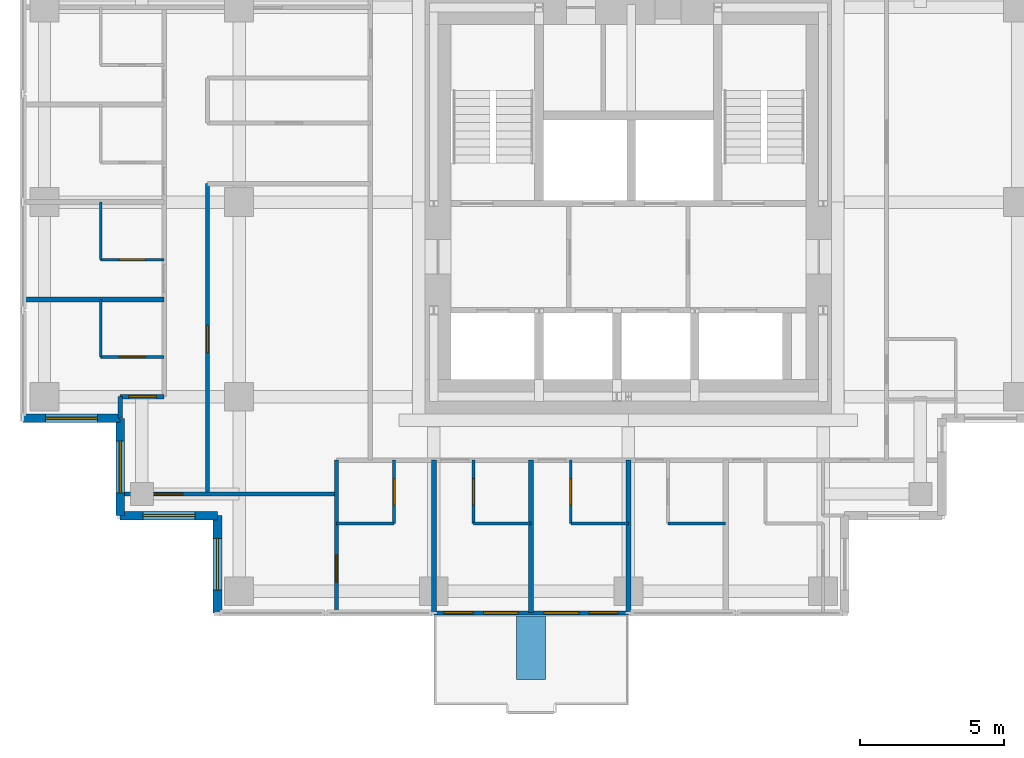
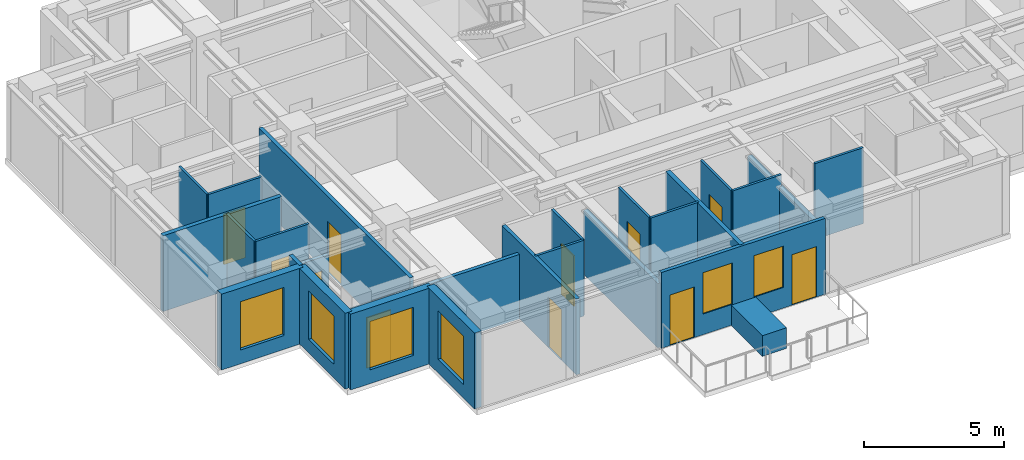
# One storey, part 3 of 8: 26 walls, 11 doors, 6 windows, 17 openings.
"""IFC4 building model written with IfcOpenShell, lengths in metres."""

from ifc_helpers import new_model, si_unit, direction, frame, frame_2d, origin, place, context, subcontext, project, spatial, rectangle, extrude, material, layer, layer_set, type_object, element, fill, save


model = new_model("IFC4")

# Units and contexts
model_context = context("Model", 3, precision=1e-05, world=origin(), true_north=direction((0.0, 1.0)))
body_context = subcontext(model_context, "Body", "Model", "MODEL_VIEW")
ifc_project = project(units=[si_unit("LENGTHUNIT", "METRE"), si_unit("AREAUNIT", "SQUARE_METRE"), si_unit("VOLUMEUNIT", "CUBIC_METRE"), si_unit("PLANEANGLEUNIT", "RADIAN"), si_unit("MASSUNIT", "GRAM", prefix="KILO")], contexts=[model_context])

# Site, building, storey
site_placement = place(None, origin())
site = spatial("IfcSite", under=ifc_project, at=site_placement, CompositionType="ELEMENT")
building_placement = place(site_placement, origin())
building = spatial("IfcBuilding", under=site, at=building_placement, Name="Nyansa Garden Tower", CompositionType="ELEMENT")
storey_placement = place(building_placement, frame((0.0, 0.0, 251.10009765625)))
storey = spatial("IfcBuildingStorey", under=building, at=storey_placement, Name="L68", CompositionType="ELEMENT", Elevation=251.10009765625)

# Walls
ifc_material_1 = material(Name="Dense blockwork, plastered both sides, 55 dB", Category="masonry")
ifc_layer_1 = layer(ifc_material_1, 0.175048828125)
ifc_layer_set_1 = layer_set([ifc_layer_1], Name="Acoustic party wall PW175")
wall_type_1 = type_object("IfcWallType", Name="Acoustic party wall PW175", PredefinedType="PARTITIONING", material=ifc_layer_set_1)
wall_1_placement = place(storey_placement, frame((-0.73388671875, 16.875, 0.0), z_axis=(0.0, 0.0, 1.0), x_axis=(1.0, 0.0, 0.0)))
element("IfcWall", 1, at=wall_1_placement, inside=storey, type_object=wall_type_1, Name="Party wall", PredefinedType="PARTITIONING", context=body_context, shape_type="SweptSolid", body=[
    extrude(rectangle(XDim=4.8837890625, YDim=0.175048828125, at=frame_2d((2.44189453125, 0.0))), origin(), (0.0, 0.0, 1.0), 3.2998046875),
])
wall_2_placement = place(storey_placement, frame((13.5, 6.01611328125, 0.0), z_axis=(0.0, 0.0, 1.0), x_axis=(0.0, 1.0, 0.0)))
element("IfcWall", 2, at=wall_2_placement, inside=storey, type_object=wall_type_1, Name="Party wall", PredefinedType="PARTITIONING", context=body_context, shape_type="SweptSolid", body=[
    extrude(rectangle(XDim=5.283935546875, YDim=0.175048828125, at=frame_2d((2.64208984375, 0.0))), origin(), (0.0, 0.0, 1.0), 2.802001953125),
])
wall_3_placement = place(storey_placement, frame((16.875, 6.01611328125, 0.0), z_axis=(0.0, 0.0, 1.0), x_axis=(0.0, 1.0, 0.0)))
element("IfcWall", 3, at=wall_3_placement, inside=storey, type_object=wall_type_1, Name="Party wall", PredefinedType="PARTITIONING", context=body_context, shape_type="SweptSolid", body=[
    extrude(rectangle(XDim=5.283935546875, YDim=0.175048828125, at=frame_2d((2.64208984375, 0.0))), origin(), (0.0, 0.0, 1.0), 3.2998046875),
])
wall_4_placement = place(storey_placement, frame((20.25, 6.01611328125, 0.0), z_axis=(0.0, 0.0, 1.0), x_axis=(0.0, 1.0, 0.0)))
element("IfcWall", 4, at=wall_4_placement, inside=storey, type_object=wall_type_1, Name="Party wall", PredefinedType="PARTITIONING", context=body_context, shape_type="SweptSolid", body=[
    extrude(rectangle(XDim=5.283935546875, YDim=0.175048828125, at=frame_2d((2.64208984375, 0.0))), origin(), (0.0, 0.0, 1.0), 2.802001953125),
])

# Wall, openings, doors, windows
ifc_material_2 = material(Name="Black aluminium framed glazed screen", Category="aluminium")
ifc_layer_2 = layer(ifc_material_2, 0.14990234375)
ifc_layer_set_2 = layer_set([ifc_layer_2], Name="Balcony screen wall BW150")
wall_type_2 = type_object("IfcWallType", Name="Balcony screen wall BW150", PredefinedType="SOLIDWALL", material=ifc_layer_set_2)
wall_5_placement = place(storey_placement, frame((20.25, 6.0, 0.0), z_axis=(0.0, 0.0, 1.0), x_axis=(-1.0, 0.0, 0.0)))
wall_5 = element("IfcWall", 5, at=wall_5_placement, inside=storey, type_object=wall_type_2, Name="Glazed screen wall L68 S", PredefinedType="SOLIDWALL", context=body_context, shape_type="SweptSolid", body=[
    extrude(rectangle(XDim=6.75, YDim=0.14990234375, at=frame_2d((3.375, 0.0))), origin(), (0.0, 0.0, 1.0), 3.2998046875),
])
opening_1_placement = place(wall_5_placement, frame((0.362548828125, 0.0, 0.0)))
opening_1 = element("IfcOpeningElement", 6, at=opening_1_placement, cuts=wall_5, Name="Opening D20", PredefinedType="OPENING", context=body_context, shape_type="SweptSolid", body=[
    extrude(rectangle(XDim=1.0, YDim=2.199951171875, at=frame_2d((0.5, 1.10009765625))), frame((0.0, 0.0849609375, 0.0), z_axis=(0.0, -1.0, 0.0), x_axis=(1.0, 0.0, 0.0)), (0.0, 0.0, 1.0), 0.169921875),
])
opening_2_placement = place(wall_5_placement, frame((1.72509765625, 0.0, 0.89990234375)))
opening_2 = element("IfcOpeningElement", 7, at=opening_2_placement, cuts=wall_5, Name="Opening W6", PredefinedType="OPENING", context=body_context, shape_type="SweptSolid", body=[
    extrude(rectangle(XDim=1.199951171875, YDim=1.800048828125, at=frame_2d((0.60009765625, 0.89990234375))), frame((0.0, 0.0849609375, 0.0), z_axis=(0.0, -1.0, 0.0), x_axis=(1.0, 0.0, 0.0)), (0.0, 0.0, 1.0), 0.169921875),
])
opening_3_placement = place(wall_5_placement, frame((5.387451171875, 0.0, 0.0)))
opening_3 = element("IfcOpeningElement", 8, at=opening_3_placement, cuts=wall_5, Name="Opening D20", PredefinedType="OPENING", context=body_context, shape_type="SweptSolid", body=[
    extrude(rectangle(XDim=1.0, YDim=2.199951171875, at=frame_2d((0.5, 1.10009765625))), frame((0.0, 0.0849609375, 0.0), z_axis=(0.0, -1.0, 0.0), x_axis=(1.0, 0.0, 0.0)), (0.0, 0.0, 1.0), 0.169921875),
])
opening_4_placement = place(wall_5_placement, frame((3.824951171875, 0.0, 0.89990234375)))
opening_4 = element("IfcOpeningElement", 9, at=opening_4_placement, cuts=wall_5, Name="Opening W6", PredefinedType="OPENING", context=body_context, shape_type="SweptSolid", body=[
    extrude(rectangle(XDim=1.199951171875, YDim=1.800048828125, at=frame_2d((0.60009765625, 0.89990234375))), frame((0.0, 0.0849609375, 0.0), z_axis=(0.0, -1.0, 0.0), x_axis=(1.0, 0.0, 0.0)), (0.0, 0.0, 1.0), 0.169921875),
])
ifc_material_3 = material(Name="Black aluminium framed glazed door", Category="aluminium")
door_type_1 = type_object("IfcDoorType", Name="Balcony door D20 1000x2200", OperationType="NOTDEFINED", PredefinedType="DOOR", material=ifc_material_3)
door_1_placement = place(opening_1_placement, origin())
door_1 = element("IfcDoor", 10, at=door_1_placement, inside=storey, type_object=door_type_1, Name="Balcony door L68", OperationType="SINGLE_SWING_LEFT", OverallHeight=2.199951171875, OverallWidth=1.0, PredefinedType="DOOR", context=body_context, shape_type="SweptSolid", body=[
    extrude(rectangle(XDim=1.0, YDim=2.199951171875, at=frame_2d((0.5, 1.10009765625))), frame((0.0, 0.02490234375, 0.0), z_axis=(0.0, -1.0, 0.0), x_axis=(1.0, 0.0, 0.0)), (0.0, 0.0, 1.0), 0.050048828125),
])
fill(opening_1, door_1)
door_2_placement = place(opening_3_placement, origin())
door_2 = element("IfcDoor", 11, at=door_2_placement, inside=storey, type_object=door_type_1, Name="Balcony door L68", OperationType="SINGLE_SWING_RIGHT", OverallHeight=2.199951171875, OverallWidth=1.0, PredefinedType="DOOR", context=body_context, shape_type="SweptSolid", body=[
    extrude(rectangle(XDim=1.0, YDim=2.199951171875, at=frame_2d((0.5, 1.10009765625))), frame((0.0, 0.02490234375, 0.0), z_axis=(0.0, -1.0, 0.0), x_axis=(1.0, 0.0, 0.0)), (0.0, 0.0, 1.0), 0.050048828125),
])
fill(opening_3, door_2)
ifc_material_4 = material(Name="Black aluminium frame, dark tinted double glazing", Category="aluminium")
window_type_1 = type_object("IfcWindowType", Name="Balcony window W6 1200x1800", PartitioningType="SINGLE_PANEL", PredefinedType="WINDOW", material=ifc_material_4)
window_1_placement = place(opening_2_placement, origin())
window_1 = element("IfcWindow", 12, at=window_1_placement, inside=storey, type_object=window_type_1, Name="Window L68", OverallHeight=1.800048828125, OverallWidth=1.199951171875, PartitioningType="SINGLE_PANEL", PredefinedType="WINDOW", context=body_context, shape_type="SweptSolid", body=[
    extrude(rectangle(XDim=1.199951171875, YDim=1.800048828125, at=frame_2d((0.60009765625, 0.89990234375))), frame((0.0, 0.030029296875, 0.0), z_axis=(0.0, -1.0, 0.0), x_axis=(1.0, 0.0, 0.0)), (0.0, 0.0, 1.0), 0.06005859375),
])
fill(opening_2, window_1)
window_2_placement = place(opening_4_placement, origin())
window_2 = element("IfcWindow", 13, at=window_2_placement, inside=storey, type_object=window_type_1, Name="Window L68", OverallHeight=1.800048828125, OverallWidth=1.199951171875, PartitioningType="SINGLE_PANEL", PredefinedType="WINDOW", context=body_context, shape_type="SweptSolid", body=[
    extrude(rectangle(XDim=1.199951171875, YDim=1.800048828125, at=frame_2d((0.60009765625, 0.89990234375))), frame((0.0, 0.030029296875, 0.0), z_axis=(0.0, -1.0, 0.0), x_axis=(1.0, 0.0, 0.0)), (0.0, 0.0, 1.0), 0.06005859375),
])
fill(opening_4, window_2)

# Wall
ifc_material_5 = material(Name="Blockwork, plastered both sides", Category="masonry")
ifc_layer_3 = layer(ifc_material_5, 0.14990234375)
ifc_layer_set_3 = layer_set([ifc_layer_3], Name="Partition PW150")
wall_type_3 = type_object("IfcWallType", Name="Partition PW150", PredefinedType="PARTITIONING", material=ifc_layer_set_3)
wall_6_placement = place(storey_placement, frame((2.625, 12.76611328125, 0.0), z_axis=(0.0, 0.0, 1.0), x_axis=(0.0, 1.0, 0.0)))
element("IfcWall", 14, at=wall_6_placement, inside=storey, type_object=wall_type_3, Name="Partition", PredefinedType="PARTITIONING", context=body_context, shape_type="SweptSolid", body=[
    extrude(rectangle(XDim=0.73388671875, YDim=0.14990234375, at=frame_2d((0.366943359375, 0.0))), origin(), (0.0, 0.0, 1.0), 3.2998046875),
])

# Wall, opening, door
wall_7_placement = place(storey_placement, frame((2.625, 13.5, 0.0), z_axis=(0.0, 0.0, 1.0), x_axis=(1.0, 0.0, 0.0)))
wall_7 = element("IfcWall", 15, at=wall_7_placement, inside=storey, type_object=wall_type_3, Name="Partition", PredefinedType="PARTITIONING", context=body_context, shape_type="SweptSolid", body=[
    extrude(rectangle(XDim=1.52490234375, YDim=0.14990234375, at=frame_2d((0.762451171875, 0.0))), origin(), (0.0, 0.0, 1.0), 2.802001953125),
])
opening_5_placement = place(wall_7_placement, frame((0.300048828125, 0.0, 0.0)))
opening_5 = element("IfcOpeningElement", 16, at=opening_5_placement, cuts=wall_7, Name="Opening D01", PredefinedType="OPENING", context=body_context, shape_type="SweptSolid", body=[
    extrude(rectangle(XDim=0.949951171875, YDim=2.199951171875, at=frame_2d((0.47509765625, 1.10009765625))), frame((0.0, 0.0849609375, 0.0), z_axis=(0.0, -1.0, 0.0), x_axis=(1.0, 0.0, 0.0)), (0.0, 0.0, 1.0), 0.169921875),
])
ifc_material_6 = material(Name="Timber flush door, 30 minute fire resisting", Category="wood")
door_type_2 = type_object("IfcDoorType", Name="Bedroom door D01 950x2200", OperationType="SINGLE_SWING_LEFT", PredefinedType="DOOR", material=ifc_material_6)
door_3_placement = place(opening_5_placement, origin())
door_3 = element("IfcDoor", 17, at=door_3_placement, inside=storey, type_object=door_type_2, Name="Door L68-036", OperationType="SINGLE_SWING_LEFT", OverallHeight=2.199951171875, OverallWidth=0.949951171875, PredefinedType="DOOR", context=body_context, shape_type="SweptSolid", body=[
    extrude(rectangle(XDim=0.949951171875, YDim=2.199951171875, at=frame_2d((0.47509765625, 1.10009765625))), frame((0.0, 0.02490234375, 0.0), z_axis=(0.0, -1.0, 0.0), x_axis=(1.0, 0.0, 0.0)), (0.0, 0.0, 1.0), 0.050048828125),
])
fill(opening_5, door_3)

wall_8_placement = place(storey_placement, frame((2.77490234375, 10.125, 0.0), z_axis=(0.0, 0.0, 1.0), x_axis=(1.0, 0.0, 0.0)))
wall_8 = element("IfcWall", 18, at=wall_8_placement, inside=storey, type_object=wall_type_3, Name="Partition", PredefinedType="PARTITIONING", context=body_context, shape_type="SweptSolid", body=[
    extrude(rectangle(XDim=7.35009765625, YDim=0.14990234375, at=frame_2d((3.675048828125, 0.0))), origin(), (0.0, 0.0, 1.0), 2.802001953125),
])
opening_6_placement = place(wall_8_placement, frame((1.01611328125, 0.0, 0.0)))
opening_6 = element("IfcOpeningElement", 19, at=opening_6_placement, cuts=wall_8, Name="Opening D03", PredefinedType="OPENING", context=body_context, shape_type="SweptSolid", body=[
    extrude(rectangle(XDim=1.0, YDim=2.199951171875, at=frame_2d((0.5, 1.10009765625))), frame((0.0, 0.0849609375, 0.0), z_axis=(0.0, -1.0, 0.0), x_axis=(1.0, 0.0, 0.0)), (0.0, 0.0, 1.0), 0.169921875),
])
ifc_material_7 = material(Name="Timber flush door, 60 minute fire resisting", Category="wood")
door_type_3 = type_object("IfcDoorType", Name="Cluster entrance door D03 1000x2200", OperationType="SINGLE_SWING_LEFT", PredefinedType="DOOR", material=ifc_material_7)
door_4_placement = place(opening_6_placement, origin())
door_4 = element("IfcDoor", 20, at=door_4_placement, inside=storey, type_object=door_type_3, Name="Door L68-027", OperationType="SINGLE_SWING_LEFT", OverallHeight=2.199951171875, OverallWidth=1.0, PredefinedType="DOOR", context=body_context, shape_type="SweptSolid", body=[
    extrude(rectangle(XDim=1.0, YDim=2.199951171875, at=frame_2d((0.5, 1.10009765625))), frame((0.0, 0.02490234375, 0.0), z_axis=(0.0, -1.0, 0.0), x_axis=(1.0, 0.0, 0.0)), (0.0, 0.0, 1.0), 0.050048828125),
])
fill(opening_6, door_4)

wall_9_placement = place(storey_placement, frame((5.64990234375, 10.125, 0.0), z_axis=(0.0, 0.0, 1.0), x_axis=(0.0, 1.0, 0.0)))
wall_9 = element("IfcWall", 21, at=wall_9_placement, inside=storey, type_object=wall_type_3, Name="Partition", PredefinedType="PARTITIONING", context=body_context, shape_type="SweptSolid", body=[
    extrude(rectangle(XDim=10.762451171875, YDim=0.14990234375, at=frame_2d((5.38134765625, 0.0))), origin(), (0.0, 0.0, 1.0), 3.2998046875),
])
opening_7_placement = place(wall_9_placement, frame((4.89990234375, 0.0, 0.0)))
opening_7 = element("IfcOpeningElement", 22, at=opening_7_placement, cuts=wall_9, Name="Opening D01", PredefinedType="OPENING", context=body_context, shape_type="SweptSolid", body=[
    extrude(rectangle(XDim=0.949951171875, YDim=2.199951171875, at=frame_2d((0.47509765625, 1.10009765625))), frame((0.0, 0.0849609375, 0.0), z_axis=(0.0, -1.0, 0.0), x_axis=(1.0, 0.0, 0.0)), (0.0, 0.0, 1.0), 0.169921875),
])
door_5_placement = place(opening_7_placement, origin())
door_5 = element("IfcDoor", 23, at=door_5_placement, inside=storey, type_object=door_type_2, Name="Door L68-046", OperationType="SINGLE_SWING_LEFT", OverallHeight=2.199951171875, OverallWidth=0.949951171875, PredefinedType="DOOR", context=body_context, shape_type="SweptSolid", body=[
    extrude(rectangle(XDim=0.949951171875, YDim=2.199951171875, at=frame_2d((0.47509765625, 1.10009765625))), frame((0.0, 0.02490234375, 0.0), z_axis=(0.0, -1.0, 0.0), x_axis=(1.0, 0.0, 0.0)), (0.0, 0.0, 1.0), 0.050048828125),
])
fill(opening_7, door_5)

wall_10_placement = place(storey_placement, frame((10.125, 6.01611328125, 0.0), z_axis=(0.0, 0.0, 1.0), x_axis=(0.0, 1.0, 0.0)))
wall_10 = element("IfcWall", 24, at=wall_10_placement, inside=storey, type_object=wall_type_3, Name="Partition", PredefinedType="PARTITIONING", context=body_context, shape_type="SweptSolid", body=[
    extrude(rectangle(XDim=5.283935546875, YDim=0.14990234375, at=frame_2d((2.64208984375, 0.0))), origin(), (0.0, 0.0, 1.0), 3.2998046875),
])
opening_8_placement = place(wall_10_placement, frame((1.050048828125, 0.0, 0.0)))
opening_8 = element("IfcOpeningElement", 25, at=opening_8_placement, cuts=wall_10, Name="Opening D01", PredefinedType="OPENING", context=body_context, shape_type="SweptSolid", body=[
    extrude(rectangle(XDim=0.949951171875, YDim=2.199951171875, at=frame_2d((0.47509765625, 1.10009765625))), frame((0.0, 0.0849609375, 0.0), z_axis=(0.0, -1.0, 0.0), x_axis=(1.0, 0.0, 0.0)), (0.0, 0.0, 1.0), 0.169921875),
])
door_6_placement = place(opening_8_placement, origin())
door_6 = element("IfcDoor", 26, at=door_6_placement, inside=storey, type_object=door_type_2, Name="Door L68-017", OperationType="SINGLE_SWING_LEFT", OverallHeight=2.199951171875, OverallWidth=0.949951171875, PredefinedType="DOOR", context=body_context, shape_type="SweptSolid", body=[
    extrude(rectangle(XDim=0.949951171875, YDim=2.199951171875, at=frame_2d((0.47509765625, 1.10009765625))), frame((0.0, 0.02490234375, 0.0), z_axis=(0.0, -1.0, 0.0), x_axis=(1.0, 0.0, 0.0)), (0.0, 0.0, 1.0), 0.050048828125),
])
fill(opening_8, door_6)

# Wall, opening, window
ifc_material_8 = material(Name="Turquoise glazed tile on concrete blockwork", Category="masonry")
ifc_layer_4 = layer(ifc_material_8, 0.300048828125)
ifc_layer_set_4 = layer_set([ifc_layer_4], Name="Tiled corner wall TW300")
wall_type_4 = type_object("IfcWallType", Name="Tiled corner wall TW300", PredefinedType="SOLIDWALL", material=ifc_layer_set_4)
wall_11_placement = place(storey_placement, frame((-0.75, 12.75, 0.0), z_axis=(0.0, 0.0, 1.0), x_axis=(1.0, 0.0, 0.0)))
wall_11 = element("IfcWall", 27, at=wall_11_placement, inside=storey, type_object=wall_type_4, Name="Tiled corner wall L68", PredefinedType="SOLIDWALL", context=body_context, shape_type="SweptSolid", body=[
    extrude(rectangle(XDim=3.375, YDim=0.300048828125, at=frame_2d((1.6875, 0.0))), origin(), (0.0, 0.0, 1.0), 3.2998046875),
])
opening_9_placement = place(wall_11_placement, frame((0.78759765625, 0.0, 0.60009765625)))
opening_9 = element("IfcOpeningElement", 28, at=opening_9_placement, cuts=wall_11, Name="Opening W2", PredefinedType="OPENING", context=body_context, shape_type="SweptSolid", body=[
    extrude(rectangle(XDim=1.800048828125, YDim=2.10009765625, at=frame_2d((0.89990234375, 1.050048828125))), frame((0.0, 0.159912109375, 0.0), z_axis=(0.0, -1.0, 0.0), x_axis=(1.0, 0.0, 0.0)), (0.0, 0.0, 1.0), 0.320068359375),
])
ifc_material_9 = material(Name="Black aluminium frame, dark tinted double glazing", Category="aluminium")
window_type_2 = type_object("IfcWindowType", Name="Window W2 1800x2100", PartitioningType="SINGLE_PANEL", PredefinedType="WINDOW", material=ifc_material_9)
window_3_placement = place(opening_9_placement, origin())
window_3 = element("IfcWindow", 29, at=window_3_placement, inside=storey, type_object=window_type_2, Name="Corner window L68", OverallHeight=2.10009765625, OverallWidth=1.800048828125, PartitioningType="SINGLE_PANEL", PredefinedType="WINDOW", context=body_context, shape_type="SweptSolid", body=[
    extrude(rectangle(XDim=1.800048828125, YDim=2.10009765625, at=frame_2d((0.89990234375, 1.050048828125))), frame((0.0, 0.030029296875, 0.0), z_axis=(0.0, -1.0, 0.0), x_axis=(1.0, 0.0, 0.0)), (0.0, 0.0, 1.0), 0.06005859375),
])
fill(opening_9, window_3)

wall_12_placement = place(storey_placement, frame((2.625, 12.75, 0.0), z_axis=(0.0, 0.0, 1.0), x_axis=(0.0, -1.0, 0.0)))
wall_12 = element("IfcWall", 30, at=wall_12_placement, inside=storey, type_object=wall_type_4, Name="Tiled corner wall L68", PredefinedType="SOLIDWALL", context=body_context, shape_type="SweptSolid", body=[
    extrude(rectangle(XDim=3.375, YDim=0.300048828125, at=frame_2d((1.6875, 0.0))), origin(), (0.0, 0.0, 1.0), 3.2998046875),
])
opening_10_placement = place(wall_12_placement, frame((0.78759765625, 0.0, 0.60009765625)))
opening_10 = element("IfcOpeningElement", 31, at=opening_10_placement, cuts=wall_12, Name="Opening W2", PredefinedType="OPENING", context=body_context, shape_type="SweptSolid", body=[
    extrude(rectangle(XDim=1.800048828125, YDim=2.10009765625, at=frame_2d((0.89990234375, 1.050048828125))), frame((0.0, 0.159912109375, 0.0), z_axis=(0.0, -1.0, 0.0), x_axis=(1.0, 0.0, 0.0)), (0.0, 0.0, 1.0), 0.320068359375),
])
window_4_placement = place(opening_10_placement, origin())
window_4 = element("IfcWindow", 32, at=window_4_placement, inside=storey, type_object=window_type_2, Name="Corner window L68", OverallHeight=2.10009765625, OverallWidth=1.800048828125, PartitioningType="SINGLE_PANEL", PredefinedType="WINDOW", context=body_context, shape_type="SweptSolid", body=[
    extrude(rectangle(XDim=1.800048828125, YDim=2.10009765625, at=frame_2d((0.89990234375, 1.050048828125))), frame((0.0, 0.030029296875, 0.0), z_axis=(0.0, -1.0, 0.0), x_axis=(1.0, 0.0, 0.0)), (0.0, 0.0, 1.0), 0.06005859375),
])
fill(opening_10, window_4)

wall_13_placement = place(storey_placement, frame((2.625, 9.375, 0.0), z_axis=(0.0, 0.0, 1.0), x_axis=(1.0, 0.0, 0.0)))
wall_13 = element("IfcWall", 33, at=wall_13_placement, inside=storey, type_object=wall_type_4, Name="Tiled corner wall L68", PredefinedType="SOLIDWALL", context=body_context, shape_type="SweptSolid", body=[
    extrude(rectangle(XDim=3.375, YDim=0.300048828125, at=frame_2d((1.6875, 0.0))), origin(), (0.0, 0.0, 1.0), 3.2998046875),
])
opening_11_placement = place(wall_13_placement, frame((0.78759765625, 0.0, 0.60009765625)))
opening_11 = element("IfcOpeningElement", 34, at=opening_11_placement, cuts=wall_13, Name="Opening W2", PredefinedType="OPENING", context=body_context, shape_type="SweptSolid", body=[
    extrude(rectangle(XDim=1.800048828125, YDim=2.10009765625, at=frame_2d((0.89990234375, 1.050048828125))), frame((0.0, 0.159912109375, 0.0), z_axis=(0.0, -1.0, 0.0), x_axis=(1.0, 0.0, 0.0)), (0.0, 0.0, 1.0), 0.320068359375),
])
window_5_placement = place(opening_11_placement, origin())
window_5 = element("IfcWindow", 35, at=window_5_placement, inside=storey, type_object=window_type_2, Name="Corner window L68", OverallHeight=2.10009765625, OverallWidth=1.800048828125, PartitioningType="SINGLE_PANEL", PredefinedType="WINDOW", context=body_context, shape_type="SweptSolid", body=[
    extrude(rectangle(XDim=1.800048828125, YDim=2.10009765625, at=frame_2d((0.89990234375, 1.050048828125))), frame((0.0, 0.030029296875, 0.0), z_axis=(0.0, -1.0, 0.0), x_axis=(1.0, 0.0, 0.0)), (0.0, 0.0, 1.0), 0.06005859375),
])
fill(opening_11, window_5)

wall_14_placement = place(storey_placement, frame((6.0, 9.375, 0.0), z_axis=(0.0, 0.0, 1.0), x_axis=(0.0, -1.0, 0.0)))
wall_14 = element("IfcWall", 36, at=wall_14_placement, inside=storey, type_object=wall_type_4, Name="Tiled corner wall L68", PredefinedType="SOLIDWALL", context=body_context, shape_type="SweptSolid", body=[
    extrude(rectangle(XDim=3.375, YDim=0.300048828125, at=frame_2d((1.6875, 0.0))), origin(), (0.0, 0.0, 1.0), 3.2998046875),
])
opening_12_placement = place(wall_14_placement, frame((0.78759765625, 0.0, 0.60009765625)))
opening_12 = element("IfcOpeningElement", 37, at=opening_12_placement, cuts=wall_14, Name="Opening W2", PredefinedType="OPENING", context=body_context, shape_type="SweptSolid", body=[
    extrude(rectangle(XDim=1.800048828125, YDim=2.10009765625, at=frame_2d((0.89990234375, 1.050048828125))), frame((0.0, 0.159912109375, 0.0), z_axis=(0.0, -1.0, 0.0), x_axis=(1.0, 0.0, 0.0)), (0.0, 0.0, 1.0), 0.320068359375),
])
window_6_placement = place(opening_12_placement, origin())
window_6 = element("IfcWindow", 38, at=window_6_placement, inside=storey, type_object=window_type_2, Name="Corner window L68", OverallHeight=2.10009765625, OverallWidth=1.800048828125, PartitioningType="SINGLE_PANEL", PredefinedType="WINDOW", context=body_context, shape_type="SweptSolid", body=[
    extrude(rectangle(XDim=1.800048828125, YDim=2.10009765625, at=frame_2d((0.89990234375, 1.050048828125))), frame((0.0, 0.030029296875, 0.0), z_axis=(0.0, -1.0, 0.0), x_axis=(1.0, 0.0, 0.0)), (0.0, 0.0, 1.0), 0.06005859375),
])
fill(opening_12, window_6)

# Walls
ifc_material_10 = material(Name="Concrete C40/50 planter, waterproofed", Category="concrete")
ifc_layer_5 = layer(ifc_material_10, 1.0)
ifc_layer_set_5 = layer_set([ifc_layer_5], Name="Tree planter TP1")
wall_type_5 = type_object("IfcWallType", Name="Tree planter TP1", PredefinedType="USERDEFINED", material=ifc_layer_set_5)
wall_15_placement = place(storey_placement, frame((16.875, 5.89990234375, 0.0), z_axis=(0.0, 0.0, 1.0), x_axis=(0.0, -1.0, 0.0)))
element("IfcWall", 39, at=wall_15_placement, inside=storey, type_object=wall_type_5, Name="Tree planter L68", ObjectType="TREE PLANTER", PredefinedType="USERDEFINED", context=body_context, shape_type="SweptSolid", body=[
    extrude(rectangle(XDim=2.199951171875, YDim=1.0, at=frame_2d((1.10009765625, 0.0))), origin(), (0.0, 0.0, 1.0), 0.89990234375),
])
ifc_material_11 = material(Name="Moisture resistant board on steel studs, tiled", Category="steel")
ifc_layer_6 = layer(ifc_material_11, 0.10009765625)
ifc_layer_set_6 = layer_set([ifc_layer_6], Name="Wet wall PW100")
wall_type_6 = type_object("IfcWallType", Name="Wet wall PW100", PredefinedType="PARTITIONING", material=ifc_layer_set_6)
wall_16_placement = place(storey_placement, frame((1.949951171875, 14.875, 0.0), z_axis=(0.0, 0.0, 1.0), x_axis=(0.0, 1.0, 0.0)))
element("IfcWall", 40, at=wall_16_placement, inside=storey, type_object=wall_type_6, Name="Wet wall", PredefinedType="PARTITIONING", context=body_context, shape_type="SweptSolid", body=[
    extrude(rectangle(XDim=2.0, YDim=0.10009765625, at=frame_2d((1.0, 0.0))), origin(), (0.0, 0.0, 1.0), 3.2998046875),
])

# Wall, opening, door
wall_17_placement = place(storey_placement, frame((1.949951171875, 14.875, 0.0), z_axis=(0.0, 0.0, 1.0), x_axis=(1.0, 0.0, 0.0)))
wall_17 = element("IfcWall", 41, at=wall_17_placement, inside=storey, type_object=wall_type_6, Name="Wet wall", PredefinedType="PARTITIONING", context=body_context, shape_type="SweptSolid", body=[
    extrude(rectangle(XDim=2.199951171875, YDim=0.10009765625, at=frame_2d((1.10009765625, 0.0))), origin(), (0.0, 0.0, 1.0), 3.2998046875),
])
opening_13_placement = place(wall_17_placement, frame((0.64990234375, 0.0, 0.0)))
opening_13 = element("IfcOpeningElement", 42, at=opening_13_placement, cuts=wall_17, Name="Opening D02", PredefinedType="OPENING", context=body_context, shape_type="SweptSolid", body=[
    extrude(rectangle(XDim=0.89990234375, YDim=2.199951171875, at=frame_2d((0.449951171875, 1.10009765625))), frame((0.0, 0.06005859375, 0.0), z_axis=(0.0, -1.0, 0.0), x_axis=(1.0, 0.0, 0.0)), (0.0, 0.0, 1.0), 0.1201171875),
])
ifc_material_12 = material(Name="Timber flush door", Category="wood")
door_type_4 = type_object("IfcDoorType", Name="En-suite door D02 900x2200", OperationType="SINGLE_SWING_RIGHT", PredefinedType="DOOR", material=ifc_material_12)
door_7_placement = place(opening_13_placement, origin())
door_7 = element("IfcDoor", 43, at=door_7_placement, inside=storey, type_object=door_type_4, Name="Door L68-037", OperationType="SINGLE_SWING_RIGHT", OverallHeight=2.199951171875, OverallWidth=0.89990234375, PredefinedType="DOOR", context=body_context, shape_type="SweptSolid", body=[
    extrude(rectangle(XDim=0.89990234375, YDim=2.199951171875, at=frame_2d((0.449951171875, 1.10009765625))), frame((0.0, 0.02490234375, 0.0), z_axis=(0.0, -1.0, 0.0), x_axis=(1.0, 0.0, 0.0)), (0.0, 0.0, 1.0), 0.050048828125),
])
fill(opening_13, door_7)

# Wall
wall_18_placement = place(storey_placement, frame((1.949951171875, 18.25, 0.0), z_axis=(0.0, 0.0, 1.0), x_axis=(0.0, 1.0, 0.0)))
element("IfcWall", 44, at=wall_18_placement, inside=storey, type_object=wall_type_6, Name="Wet wall", PredefinedType="PARTITIONING", context=body_context, shape_type="SweptSolid", body=[
    extrude(rectangle(XDim=2.0, YDim=0.10009765625, at=frame_2d((1.0, 0.0))), origin(), (0.0, 0.0, 1.0), 3.2998046875),
])

# Wall, opening, door
wall_19_placement = place(storey_placement, frame((1.949951171875, 18.25, 0.0), z_axis=(0.0, 0.0, 1.0), x_axis=(1.0, 0.0, 0.0)))
wall_19 = element("IfcWall", 45, at=wall_19_placement, inside=storey, type_object=wall_type_6, Name="Wet wall", PredefinedType="PARTITIONING", context=body_context, shape_type="SweptSolid", body=[
    extrude(rectangle(XDim=2.199951171875, YDim=0.10009765625, at=frame_2d((1.10009765625, 0.0))), origin(), (0.0, 0.0, 1.0), 3.2998046875),
])
opening_14_placement = place(wall_19_placement, frame((0.64990234375, 0.0, 0.0)))
opening_14 = element("IfcOpeningElement", 46, at=opening_14_placement, cuts=wall_19, Name="Opening D02", PredefinedType="OPENING", context=body_context, shape_type="SweptSolid", body=[
    extrude(rectangle(XDim=0.89990234375, YDim=2.199951171875, at=frame_2d((0.449951171875, 1.10009765625))), frame((0.0, 0.06005859375, 0.0), z_axis=(0.0, -1.0, 0.0), x_axis=(1.0, 0.0, 0.0)), (0.0, 0.0, 1.0), 0.1201171875),
])
door_8_placement = place(opening_14_placement, origin())
door_8 = element("IfcDoor", 47, at=door_8_placement, inside=storey, type_object=door_type_4, Name="Door L68-039", OperationType="SINGLE_SWING_RIGHT", OverallHeight=2.199951171875, OverallWidth=0.89990234375, PredefinedType="DOOR", context=body_context, shape_type="SweptSolid", body=[
    extrude(rectangle(XDim=0.89990234375, YDim=2.199951171875, at=frame_2d((0.449951171875, 1.10009765625))), frame((0.0, 0.02490234375, 0.0), z_axis=(0.0, -1.0, 0.0), x_axis=(1.0, 0.0, 0.0)), (0.0, 0.0, 1.0), 0.050048828125),
])
fill(opening_14, door_8)

# Wall
wall_20_placement = place(storey_placement, frame((10.125, 9.10009765625, 0.0), z_axis=(0.0, 0.0, 1.0), x_axis=(1.0, 0.0, 0.0)))
element("IfcWall", 48, at=wall_20_placement, inside=storey, type_object=wall_type_6, Name="Wet wall", PredefinedType="PARTITIONING", context=body_context, shape_type="SweptSolid", body=[
    extrude(rectangle(XDim=2.0, YDim=0.10009765625, at=frame_2d((1.0, 0.0))), origin(), (0.0, 0.0, 1.0), 3.2998046875),
])

# Wall, opening, door
wall_21_placement = place(storey_placement, frame((12.125, 9.10009765625, 0.0), z_axis=(0.0, 0.0, 1.0), x_axis=(0.0, 1.0, 0.0)))
wall_21 = element("IfcWall", 49, at=wall_21_placement, inside=storey, type_object=wall_type_6, Name="Wet wall", PredefinedType="PARTITIONING", context=body_context, shape_type="SweptSolid", body=[
    extrude(rectangle(XDim=2.199951171875, YDim=0.10009765625, at=frame_2d((1.10009765625, 0.0))), origin(), (0.0, 0.0, 1.0), 3.2998046875),
])
opening_15_placement = place(wall_21_placement, frame((0.64990234375, 0.0, 0.0)))
opening_15 = element("IfcOpeningElement", 50, at=opening_15_placement, cuts=wall_21, Name="Opening D02", PredefinedType="OPENING", context=body_context, shape_type="SweptSolid", body=[
    extrude(rectangle(XDim=0.89990234375, YDim=2.199951171875, at=frame_2d((0.449951171875, 1.10009765625))), frame((0.0, 0.06005859375, 0.0), z_axis=(0.0, -1.0, 0.0), x_axis=(1.0, 0.0, 0.0)), (0.0, 0.0, 1.0), 0.1201171875),
])
door_9_placement = place(opening_15_placement, origin())
door_9 = element("IfcDoor", 51, at=door_9_placement, inside=storey, type_object=door_type_4, Name="Door L68-018", OperationType="SINGLE_SWING_RIGHT", OverallHeight=2.199951171875, OverallWidth=0.89990234375, PredefinedType="DOOR", context=body_context, shape_type="SweptSolid", body=[
    extrude(rectangle(XDim=0.89990234375, YDim=2.199951171875, at=frame_2d((0.449951171875, 1.10009765625))), frame((0.0, 0.02490234375, 0.0), z_axis=(0.0, -1.0, 0.0), x_axis=(1.0, 0.0, 0.0)), (0.0, 0.0, 1.0), 0.050048828125),
])
fill(opening_15, door_9)

wall_22_placement = place(storey_placement, frame((14.875, 9.10009765625, 0.0), z_axis=(0.0, 0.0, 1.0), x_axis=(0.0, 1.0, 0.0)))
wall_22 = element("IfcWall", 52, at=wall_22_placement, inside=storey, type_object=wall_type_6, Name="Wet wall", PredefinedType="PARTITIONING", context=body_context, shape_type="SweptSolid", body=[
    extrude(rectangle(XDim=2.199951171875, YDim=0.10009765625, at=frame_2d((1.10009765625, 0.0))), origin(), (0.0, 0.0, 1.0), 3.2998046875),
])
opening_16_placement = place(wall_22_placement, frame((0.64990234375, 0.0, 0.0)))
opening_16 = element("IfcOpeningElement", 53, at=opening_16_placement, cuts=wall_22, Name="Opening D02", PredefinedType="OPENING", context=body_context, shape_type="SweptSolid", body=[
    extrude(rectangle(XDim=0.89990234375, YDim=2.199951171875, at=frame_2d((0.449951171875, 1.10009765625))), frame((0.0, 0.06005859375, 0.0), z_axis=(0.0, -1.0, 0.0), x_axis=(1.0, 0.0, 0.0)), (0.0, 0.0, 1.0), 0.1201171875),
])
door_10_placement = place(opening_16_placement, origin())
door_10 = element("IfcDoor", 54, at=door_10_placement, inside=storey, type_object=door_type_4, Name="Door L68-020", OperationType="SINGLE_SWING_RIGHT", OverallHeight=2.199951171875, OverallWidth=0.89990234375, PredefinedType="DOOR", context=body_context, shape_type="SweptSolid", body=[
    extrude(rectangle(XDim=0.89990234375, YDim=2.199951171875, at=frame_2d((0.449951171875, 1.10009765625))), frame((0.0, 0.02490234375, 0.0), z_axis=(0.0, -1.0, 0.0), x_axis=(1.0, 0.0, 0.0)), (0.0, 0.0, 1.0), 0.050048828125),
])
fill(opening_16, door_10)

# Wall
wall_23_placement = place(storey_placement, frame((14.875, 9.10009765625, 0.0), z_axis=(0.0, 0.0, 1.0), x_axis=(1.0, 0.0, 0.0)))
element("IfcWall", 55, at=wall_23_placement, inside=storey, type_object=wall_type_6, Name="Wet wall", PredefinedType="PARTITIONING", context=body_context, shape_type="SweptSolid", body=[
    extrude(rectangle(XDim=2.0, YDim=0.10009765625, at=frame_2d((1.0, 0.0))), origin(), (0.0, 0.0, 1.0), 3.2998046875),
])

# Wall, opening, door
wall_24_placement = place(storey_placement, frame((18.25, 9.10009765625, 0.0), z_axis=(0.0, 0.0, 1.0), x_axis=(0.0, 1.0, 0.0)))
wall_24 = element("IfcWall", 56, at=wall_24_placement, inside=storey, type_object=wall_type_6, Name="Wet wall", PredefinedType="PARTITIONING", context=body_context, shape_type="SweptSolid", body=[
    extrude(rectangle(XDim=2.199951171875, YDim=0.10009765625, at=frame_2d((1.10009765625, 0.0))), origin(), (0.0, 0.0, 1.0), 3.2998046875),
])
opening_17_placement = place(wall_24_placement, frame((0.64990234375, 0.0, 0.0)))
opening_17 = element("IfcOpeningElement", 57, at=opening_17_placement, cuts=wall_24, Name="Opening D02", PredefinedType="OPENING", context=body_context, shape_type="SweptSolid", body=[
    extrude(rectangle(XDim=0.89990234375, YDim=2.199951171875, at=frame_2d((0.449951171875, 1.10009765625))), frame((0.0, 0.06005859375, 0.0), z_axis=(0.0, -1.0, 0.0), x_axis=(1.0, 0.0, 0.0)), (0.0, 0.0, 1.0), 0.1201171875),
])
door_11_placement = place(opening_17_placement, origin())
door_11 = element("IfcDoor", 58, at=door_11_placement, inside=storey, type_object=door_type_4, Name="Door L68-022", OperationType="SINGLE_SWING_RIGHT", OverallHeight=2.199951171875, OverallWidth=0.89990234375, PredefinedType="DOOR", context=body_context, shape_type="SweptSolid", body=[
    extrude(rectangle(XDim=0.89990234375, YDim=2.199951171875, at=frame_2d((0.449951171875, 1.10009765625))), frame((0.0, 0.02490234375, 0.0), z_axis=(0.0, -1.0, 0.0), x_axis=(1.0, 0.0, 0.0)), (0.0, 0.0, 1.0), 0.050048828125),
])
fill(opening_17, door_11)

# Walls
for number, where, z_axis, x_axis, name in (
    (59, (18.25, 9.10009765625, 0.0), (0.0, 0.0, 1.0), (1.0, 0.0, 0.0), "Wet wall"),
    (60, (21.625, 9.10009765625, 0.0), (0.0, 0.0, 1.0), (1.0, 0.0, 0.0), "Wet wall"),
):
    element("IfcWall", number, at=place(storey_placement, frame(where, z_axis=z_axis, x_axis=x_axis)), inside=storey, type_object=wall_type_6, Name=name, PredefinedType="PARTITIONING", context=body_context, shape_type="SweptSolid", body=[
        extrude(rectangle(XDim=2.0, YDim=0.10009765625, at=frame_2d((1.0, 0.0))), origin(), (0.0, 0.0, 1.0), 3.2998046875),
    ])

save(model, "model.ifc")
